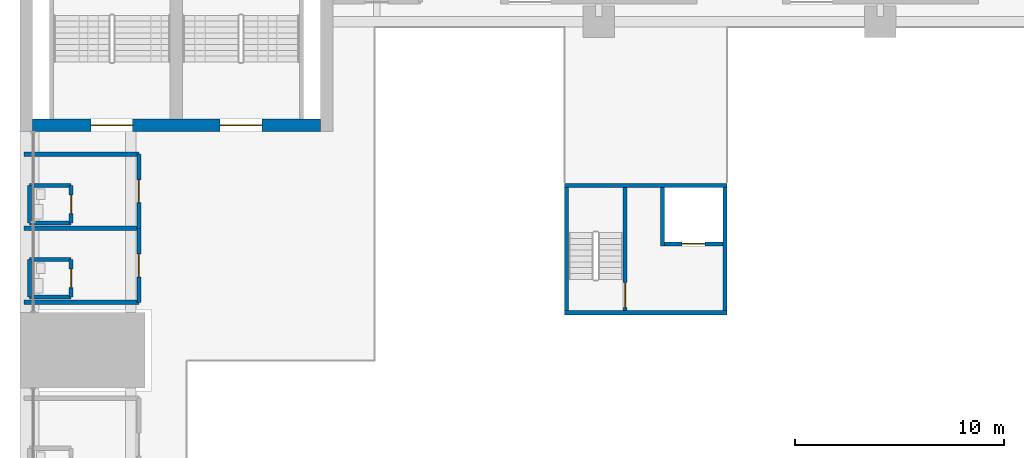
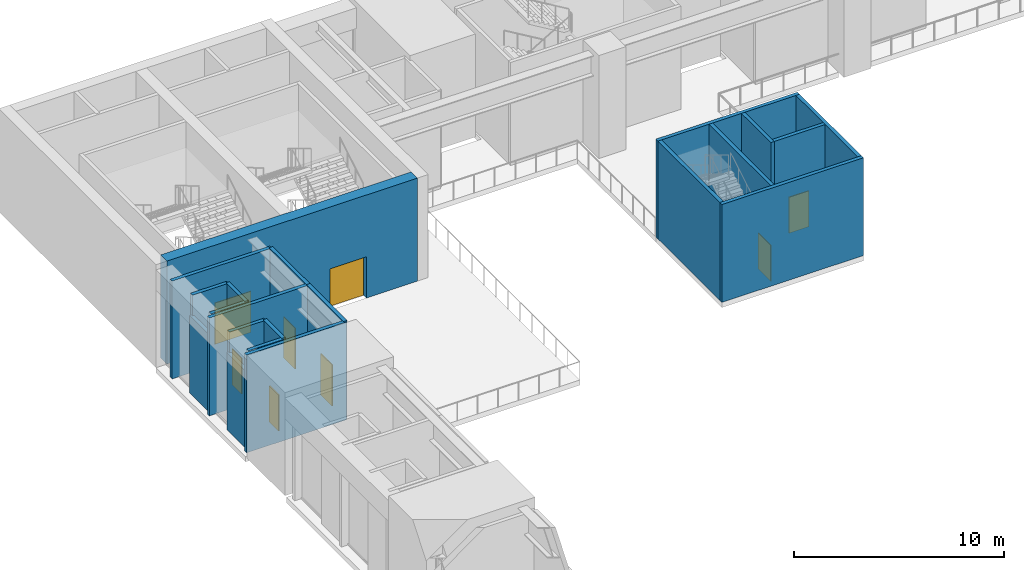
# One storey, part 15 of 43: 21 walls, 8 doors, 8 openings.
"""IFC4 building model written with IfcOpenShell, lengths in metres."""

from ifc_helpers import new_model, si_unit, direction, frame, frame_2d, origin, place, context, subcontext, project, spatial, rectangle, extrude, material, layer, layer_set, type_object, element, fill, save


model = new_model("IFC4")

# Units and contexts
model_context = context("Model", 3, precision=1e-05, world=origin(), true_north=direction((0.0, 1.0)))
body_context = subcontext(model_context, "Body", "Model", "MODEL_VIEW")
ifc_project = project(units=[si_unit("LENGTHUNIT", "METRE"), si_unit("AREAUNIT", "SQUARE_METRE"), si_unit("VOLUMEUNIT", "CUBIC_METRE"), si_unit("PLANEANGLEUNIT", "RADIAN"), si_unit("MASSUNIT", "GRAM", prefix="KILO")], contexts=[model_context])

# Site, building, storey
site_placement = place(None, origin())
site = spatial("IfcSite", under=ifc_project, at=site_placement, CompositionType="ELEMENT")
building_placement = place(site_placement, origin())
building = spatial("IfcBuilding", under=site, at=building_placement, Name="Corbelhall Arena Tower", CompositionType="ELEMENT")
storey_placement = place(building_placement, frame((0.0, 0.0, 25.0)))
storey = spatial("IfcBuildingStorey", under=building, at=storey_placement, Name="L03", CompositionType="ELEMENT", Elevation=25.0)

# Wall, opening, door
ifc_material_1 = material(Name="Gypsum board on steel studs", Category="steel")
ifc_layer_1 = layer(ifc_material_1, 0.199951171875)
ifc_layer_set_1 = layer_set([ifc_layer_1], Name="AR-ROOM-WALL")
wall_type_1 = type_object("IfcWallType", Name="AR-ROOM-WALL", PredefinedType="PARTITIONING", material=ifc_layer_set_1)
wall_1_placement = place(storey_placement, frame((-42.300048828125, 15.800048828125, 0.0), z_axis=(0.0, 0.0, 1.0), x_axis=(0.0, 1.0, 0.0)))
wall_1 = element("IfcWall", 1, at=wall_1_placement, inside=storey, type_object=wall_type_1, Name="Suite seating 0313 wall", PredefinedType="PARTITIONING", context=body_context, shape_type="SweptSolid", body=[
    extrude(rectangle(XDim=3.550048828125, YDim=0.199951171875, at=frame_2d((1.77490234375, 0.0))), origin(), (0.0, 0.0, 1.0), 5.699951171875),
])
opening_1_placement = place(wall_1_placement, frame((1.22509765625, 0.0, 0.0)))
opening_1 = element("IfcOpeningElement", 2, at=opening_1_placement, cuts=wall_1, Name="Opening DA0407", PredefinedType="OPENING", context=body_context, shape_type="SweptSolid", body=[
    extrude(rectangle(XDim=1.10009765625, YDim=2.39990234375, at=frame_2d((0.550048828125, 1.199951171875))), frame((0.0, 0.10009765625, 0.0), z_axis=(0.0, -1.0, 0.0), x_axis=(1.0, 0.0, 0.0)), (0.0, 0.0, 1.0), 0.199951171875),
])
ifc_material_2 = material(Name="Timber", Category="wood")
door_type_1 = type_object("IfcDoorType", Name="AR-ROOM-DOOR", OperationType="DOUBLE_DOOR_SINGLE_SWING", PredefinedType="DOOR", material=ifc_material_2)
door_1_placement = place(opening_1_placement, origin())
door_1 = element("IfcDoor", 3, at=door_1_placement, inside=storey, type_object=door_type_1, Name="Suite seating 0313 door", OperationType="DOUBLE_DOOR_SINGLE_SWING", OverallHeight=2.39990234375, OverallWidth=1.10009765625, PredefinedType="DOOR", context=body_context, shape_type="SweptSolid", body=[
    extrude(rectangle(XDim=1.10009765625, YDim=2.39990234375, at=frame_2d((0.550048828125, 1.199951171875))), frame((0.0, 0.02490234375, 0.0), z_axis=(0.0, -1.0, 0.0), x_axis=(1.0, 0.0, 0.0)), (0.0, 0.0, 1.0), 0.050048828125),
])
fill(opening_1, door_1)

# Walls
for number, where, z_axis, x_axis, name in (
    (4, (-42.300048828125, 15.800048828125, 0.0), (0.0, 0.0, 1.0), (-1.0, 0.0, 0.0), "Suite seating 0313 end wall"),
    (5, (-47.800048828125, 19.35009765625, 0.0), (0.0, 0.0, 1.0), (1.0, 0.0, 0.0), "Suite seating 0313 partition"),
):
    element("IfcWall", number, at=place(storey_placement, frame(where, z_axis=z_axis, x_axis=x_axis)), inside=storey, type_object=wall_type_1, Name=name, PredefinedType="PARTITIONING", context=body_context, shape_type="SweptSolid", body=[
        extrude(rectangle(XDim=5.5, YDim=0.199951171875, at=frame_2d((2.75, 0.0))), origin(), (0.0, 0.0, 1.0), 5.699951171875),
    ])
for number, where, z_axis, x_axis, name in (
    (6, (-47.550048828125, 16.050048828125, 0.0), (0.0, 0.0, 1.0), (1.0, 0.0, 0.0), "Suite WC 0313 wall"),
    (7, (-45.550048828125, 17.85009765625, 0.0), (0.0, 0.0, 1.0), (-1.0, 0.0, 0.0), "Suite WC 0313 wall"),
):
    element("IfcWall", number, at=place(storey_placement, frame(where, z_axis=z_axis, x_axis=x_axis)), inside=storey, type_object=wall_type_1, Name=name, PredefinedType="PARTITIONING", context=body_context, shape_type="SweptSolid", body=[
        extrude(rectangle(XDim=2.0, YDim=0.199951171875, at=frame_2d((1.0, 0.0))), origin(), (0.0, 0.0, 1.0), 5.699951171875),
    ])

# Wall, opening, door
wall_2_placement = place(storey_placement, frame((-45.550048828125, 16.050048828125, 0.0), z_axis=(0.0, 0.0, 1.0), x_axis=(0.0, 1.0, 0.0)))
wall_2 = element("IfcWall", 8, at=wall_2_placement, inside=storey, type_object=wall_type_1, Name="Suite WC 0313 wall", PredefinedType="PARTITIONING", context=body_context, shape_type="SweptSolid", body=[
    extrude(rectangle(XDim=1.800048828125, YDim=0.199951171875, at=frame_2d((0.89990234375, 0.0))), origin(), (0.0, 0.0, 1.0), 5.699951171875),
])
opening_2_placement = place(wall_2_placement, frame((0.449951171875, 0.0, 0.0)))
opening_2 = element("IfcOpeningElement", 9, at=opening_2_placement, cuts=wall_2, Name="Opening DA0408", PredefinedType="OPENING", context=body_context, shape_type="SweptSolid", body=[
    extrude(rectangle(XDim=0.89990234375, YDim=2.10009765625, at=frame_2d((0.449951171875, 1.050048828125))), frame((0.0, 0.10009765625, 0.0), z_axis=(0.0, -1.0, 0.0), x_axis=(1.0, 0.0, 0.0)), (0.0, 0.0, 1.0), 0.199951171875),
])
door_type_2 = type_object("IfcDoorType", Name="AR-CELL-DOOR", OperationType="SINGLE_SWING_LEFT", PredefinedType="DOOR", material=ifc_material_2)
door_2_placement = place(opening_2_placement, origin())
door_2 = element("IfcDoor", 10, at=door_2_placement, inside=storey, type_object=door_type_2, Name="Suite WC 0313 door", OperationType="SINGLE_SWING_LEFT", OverallHeight=2.10009765625, OverallWidth=0.89990234375, PredefinedType="DOOR", context=body_context, shape_type="SweptSolid", body=[
    extrude(rectangle(XDim=0.89990234375, YDim=2.10009765625, at=frame_2d((0.449951171875, 1.050048828125))), frame((0.0, 0.02490234375, 0.0), z_axis=(0.0, -1.0, 0.0), x_axis=(1.0, 0.0, 0.0)), (0.0, 0.0, 1.0), 0.050048828125),
])
fill(opening_2, door_2)

wall_3_placement = place(storey_placement, frame((-42.300048828125, 19.35009765625, 0.0), z_axis=(0.0, 0.0, 1.0), x_axis=(0.0, 1.0, 0.0)))
wall_3 = element("IfcWall", 11, at=wall_3_placement, inside=storey, type_object=wall_type_1, Name="Suite seating 0314 wall", PredefinedType="PARTITIONING", context=body_context, shape_type="SweptSolid", body=[
    extrude(rectangle(XDim=3.5498046875, YDim=0.199951171875, at=frame_2d((1.77490234375, 0.0))), origin(), (0.0, 0.0, 1.0), 5.699951171875),
])
opening_3_placement = place(wall_3_placement, frame((1.22509765625, 0.0, 0.0)))
opening_3 = element("IfcOpeningElement", 12, at=opening_3_placement, cuts=wall_3, Name="Opening DA0409", PredefinedType="OPENING", context=body_context, shape_type="SweptSolid", body=[
    extrude(rectangle(XDim=1.10009765625, YDim=2.39990234375, at=frame_2d((0.550048828125, 1.199951171875))), frame((0.0, 0.10009765625, 0.0), z_axis=(0.0, -1.0, 0.0), x_axis=(1.0, 0.0, 0.0)), (0.0, 0.0, 1.0), 0.199951171875),
])
door_3_placement = place(opening_3_placement, origin())
door_3 = element("IfcDoor", 13, at=door_3_placement, inside=storey, type_object=door_type_1, Name="Suite seating 0314 door", OperationType="DOUBLE_DOOR_SINGLE_SWING", OverallHeight=2.39990234375, OverallWidth=1.10009765625, PredefinedType="DOOR", context=body_context, shape_type="SweptSolid", body=[
    extrude(rectangle(XDim=1.10009765625, YDim=2.39990234375, at=frame_2d((0.550048828125, 1.199951171875))), frame((0.0, 0.02490234375, 0.0), z_axis=(0.0, -1.0, 0.0), x_axis=(1.0, 0.0, 0.0)), (0.0, 0.0, 1.0), 0.050048828125),
])
fill(opening_3, door_3)

# Walls
wall_4_placement = place(storey_placement, frame((-42.300048828125, 22.89990234375, 0.0), z_axis=(0.0, 0.0, 1.0), x_axis=(-1.0, 0.0, 0.0)))
element("IfcWall", 14, at=wall_4_placement, inside=storey, type_object=wall_type_1, Name="Suite seating 0314 end wall", PredefinedType="PARTITIONING", context=body_context, shape_type="SweptSolid", body=[
    extrude(rectangle(XDim=5.5, YDim=0.199951171875, at=frame_2d((2.75, 0.0))), origin(), (0.0, 0.0, 1.0), 5.699951171875),
])
for number, where, z_axis, x_axis, name in (
    (15, (-47.550048828125, 19.60009765625, 0.0), (0.0, 0.0, 1.0), (1.0, 0.0, 0.0), "Suite WC 0314 wall"),
    (16, (-45.550048828125, 21.39990234375, 0.0), (0.0, 0.0, 1.0), (-1.0, 0.0, 0.0), "Suite WC 0314 wall"),
):
    element("IfcWall", number, at=place(storey_placement, frame(where, z_axis=z_axis, x_axis=x_axis)), inside=storey, type_object=wall_type_1, Name=name, PredefinedType="PARTITIONING", context=body_context, shape_type="SweptSolid", body=[
        extrude(rectangle(XDim=2.0, YDim=0.199951171875, at=frame_2d((1.0, 0.0))), origin(), (0.0, 0.0, 1.0), 5.699951171875),
    ])

# Wall, opening, door
wall_5_placement = place(storey_placement, frame((-45.550048828125, 19.60009765625, 0.0), z_axis=(0.0, 0.0, 1.0), x_axis=(0.0, 1.0, 0.0)))
wall_5 = element("IfcWall", 17, at=wall_5_placement, inside=storey, type_object=wall_type_1, Name="Suite WC 0314 wall", PredefinedType="PARTITIONING", context=body_context, shape_type="SweptSolid", body=[
    extrude(rectangle(XDim=1.7998046875, YDim=0.199951171875, at=frame_2d((0.89990234375, 0.0))), origin(), (0.0, 0.0, 1.0), 5.699951171875),
])
opening_4_placement = place(wall_5_placement, frame((0.449951171875, 0.0, 0.0)))
opening_4 = element("IfcOpeningElement", 18, at=opening_4_placement, cuts=wall_5, Name="Opening DA0410", PredefinedType="OPENING", context=body_context, shape_type="SweptSolid", body=[
    extrude(rectangle(XDim=0.89990234375, YDim=2.10009765625, at=frame_2d((0.449951171875, 1.050048828125))), frame((0.0, 0.10009765625, 0.0), z_axis=(0.0, -1.0, 0.0), x_axis=(1.0, 0.0, 0.0)), (0.0, 0.0, 1.0), 0.199951171875),
])
door_4_placement = place(opening_4_placement, origin())
door_4 = element("IfcDoor", 19, at=door_4_placement, inside=storey, type_object=door_type_2, Name="Suite WC 0314 door", OperationType="SINGLE_SWING_LEFT", OverallHeight=2.10009765625, OverallWidth=0.89990234375, PredefinedType="DOOR", context=body_context, shape_type="SweptSolid", body=[
    extrude(rectangle(XDim=0.89990234375, YDim=2.10009765625, at=frame_2d((0.449951171875, 1.050048828125))), frame((0.0, 0.02490234375, 0.0), z_axis=(0.0, -1.0, 0.0), x_axis=(1.0, 0.0, 0.0)), (0.0, 0.0, 1.0), 0.050048828125),
])
fill(opening_4, door_4)

# Walls
ifc_layer_2 = layer(ifc_material_1, 0.199951171875)
ifc_layer_set_2 = layer_set([ifc_layer_2], Name="AR-ROOM-WALL under beam 1200 mm")
wall_type_2 = type_object("IfcWallType", Name="AR-ROOM-WALL under beam 1200 mm", PredefinedType="PARTITIONING", material=ifc_layer_set_2)
wall_6_placement = place(storey_placement, frame((-47.550048828125, 16.050048828125, 0.0), z_axis=(0.0, 0.0, 1.0), x_axis=(0.0, 1.0, 0.0)))
element("IfcWall", 20, at=wall_6_placement, inside=storey, type_object=wall_type_2, Name="Suite WC 0313 wall", PredefinedType="PARTITIONING", context=body_context, shape_type="SweptSolid", body=[
    extrude(rectangle(XDim=1.800048828125, YDim=0.199951171875, at=frame_2d((0.89990234375, 0.0))), origin(), (0.0, 0.0, 1.0), 4.5),
])
wall_7_placement = place(storey_placement, frame((-47.550048828125, 19.60009765625, 0.0), z_axis=(0.0, 0.0, 1.0), x_axis=(0.0, 1.0, 0.0)))
element("IfcWall", 21, at=wall_7_placement, inside=storey, type_object=wall_type_2, Name="Suite WC 0314 wall", PredefinedType="PARTITIONING", context=body_context, shape_type="SweptSolid", body=[
    extrude(rectangle(XDim=1.7998046875, YDim=0.199951171875, at=frame_2d((0.89990234375, 0.0))), origin(), (0.0, 0.0, 1.0), 4.5),
])
ifc_material_3 = material(Name="Concrete C40/50", Category="concrete")
ifc_layer_3 = layer(ifc_material_3, 0.199951171875)
ifc_layer_set_3 = layer_set([ifc_layer_3], Name="IN-W-EAR200")
wall_type_3 = type_object("IfcWallType", Name="IN-W-EAR200", PredefinedType="SOLIDWALL", material=ifc_layer_set_3)
for number, where, z_axis, x_axis, name in (
    (22, (-21.89990234375, 15.300048828125, 0.0), (0.0, 0.0, 1.0), (1.0, 0.0, 0.0), "Fire service turret wall south"),
    (23, (-21.89990234375, 21.39990234375, 0.0), (0.0, 0.0, 1.0), (1.0, 0.0, 0.0), "Fire service turret wall north"),
):
    element("IfcWall", number, at=place(storey_placement, frame(where, z_axis=z_axis, x_axis=x_axis)), inside=storey, type_object=wall_type_3, Name=name, PredefinedType="SOLIDWALL", context=body_context, shape_type="SweptSolid", body=[
        extrude(rectangle(XDim=7.7998046875, YDim=0.199951171875, at=frame_2d((3.89990234375, 0.0))), origin(), (0.0, 0.0, 1.0), 5.699951171875),
    ])
for number, where, z_axis, x_axis, name in (
    (24, (-21.800048828125, 15.39990234375, 0.0), (0.0, 0.0, 1.0), (0.0, 1.0, 0.0), "Fire service turret wall west"),
    (25, (-14.199951171875, 15.39990234375, 0.0), (0.0, 0.0, 1.0), (0.0, 1.0, 0.0), "Fire service turret wall east"),
):
    element("IfcWall", number, at=place(storey_placement, frame(where, z_axis=z_axis, x_axis=x_axis)), inside=storey, type_object=wall_type_3, Name=name, PredefinedType="SOLIDWALL", context=body_context, shape_type="SweptSolid", body=[
        extrude(rectangle(XDim=5.900146484375, YDim=0.199951171875, at=frame_2d((2.9501953125, 0.0))), origin(), (0.0, 0.0, 1.0), 5.699951171875),
    ])

# Wall, opening, door
wall_8_placement = place(storey_placement, frame((-18.989990234375, 15.39990234375, 0.0), z_axis=(0.0, 0.0, 1.0), x_axis=(0.0, 1.0, 0.0)))
wall_8 = element("IfcWall", 26, at=wall_8_placement, inside=storey, type_object=wall_type_3, Name="Fire service turret wall stair", PredefinedType="SOLIDWALL", context=body_context, shape_type="SweptSolid", body=[
    extrude(rectangle(XDim=5.900146484375, YDim=0.199951171875, at=frame_2d((2.9501953125, 0.0))), origin(), (0.0, 0.0, 1.0), 5.699951171875),
])
opening_5_placement = place(wall_8_placement, frame((0.14990234375, 0.0, 0.0)))
opening_5 = element("IfcOpeningElement", 27, at=opening_5_placement, cuts=wall_8, Name="Opening E031", PredefinedType="OPENING", context=body_context, shape_type="SweptSolid", body=[
    extrude(rectangle(XDim=1.199951171875, YDim=2.10009765625, at=frame_2d((0.60009765625, 1.050048828125))), frame((0.0, 0.10009765625, 0.0), z_axis=(0.0, -1.0, 0.0), x_axis=(1.0, 0.0, 0.0)), (0.0, 0.0, 1.0), 0.199951171875),
])
ifc_material_4 = material(Name="Steel door set", Category="steel")
door_type_3 = type_object("IfcDoorType", Name="IN-D-ST120", OperationType="NOTDEFINED", PredefinedType="DOOR", material=ifc_material_4)
door_5_placement = place(opening_5_placement, origin())
door_5 = element("IfcDoor", 28, at=door_5_placement, inside=storey, type_object=door_type_3, Name="Stair door to fire service lobby", OperationType="SINGLE_SWING_LEFT", OverallHeight=2.10009765625, OverallWidth=1.199951171875, PredefinedType="DOOR", context=body_context, shape_type="SweptSolid", body=[
    extrude(rectangle(XDim=1.199951171875, YDim=2.10009765625, at=frame_2d((0.60009765625, 1.050048828125))), frame((0.0, 0.02490234375, 0.0), z_axis=(0.0, -1.0, 0.0), x_axis=(1.0, 0.0, 0.0)), (0.0, 0.0, 1.0), 0.050048828125),
])
fill(opening_5, door_5)

# Wall
wall_9_placement = place(storey_placement, frame((-17.199951171875, 18.5, 0.0), z_axis=(0.0, 0.0, 1.0), x_axis=(0.0, 1.0, 0.0)))
element("IfcWall", 29, at=wall_9_placement, inside=storey, type_object=wall_type_3, Name="Fire service turret wall hoistway west", PredefinedType="SOLIDWALL", context=body_context, shape_type="SweptSolid", body=[
    extrude(rectangle(XDim=2.800048828125, YDim=0.199951171875, at=frame_2d((1.39990234375, 0.0))), origin(), (0.0, 0.0, 1.0), 5.699951171875),
])

# Wall, opening, door
wall_10_placement = place(storey_placement, frame((-17.10009765625, 18.60009765625, 0.0), z_axis=(0.0, 0.0, 1.0), x_axis=(1.0, 0.0, 0.0)))
wall_10 = element("IfcWall", 30, at=wall_10_placement, inside=storey, type_object=wall_type_3, Name="Fire service turret wall hoistway south", PredefinedType="SOLIDWALL", context=body_context, shape_type="SweptSolid", body=[
    extrude(rectangle(XDim=2.800048828125, YDim=0.199951171875, at=frame_2d((1.39990234375, 0.0))), origin(), (0.0, 0.0, 1.0), 5.699951171875),
])
opening_6_placement = place(wall_10_placement, frame((0.85009765625, 0.0, 0.0)))
opening_6 = element("IfcOpeningElement", 31, at=opening_6_placement, cuts=wall_10, Name="Opening LD", PredefinedType="OPENING", context=body_context, shape_type="SweptSolid", body=[
    extrude(rectangle(XDim=1.10009765625, YDim=2.10009765625, at=frame_2d((0.550048828125, 1.050048828125))), frame((0.0, 0.10009765625, 0.0), z_axis=(0.0, -1.0, 0.0), x_axis=(1.0, 0.0, 0.0)), (0.0, 0.0, 1.0), 0.199951171875),
])
door_type_4 = type_object("IfcDoorType", Name="IN-D-LD110", OperationType="NOTDEFINED", PredefinedType="DOOR", material=ifc_material_4)
door_6_placement = place(opening_6_placement, origin())
door_6 = element("IfcDoor", 32, at=door_6_placement, inside=storey, type_object=door_type_4, Name="Landing door FS1", OperationType="SLIDING_TO_LEFT", OverallHeight=2.10009765625, OverallWidth=1.10009765625, PredefinedType="DOOR", context=body_context, shape_type="SweptSolid", body=[
    extrude(rectangle(XDim=1.10009765625, YDim=2.10009765625, at=frame_2d((0.550048828125, 1.050048828125))), frame((0.0, 0.02490234375, 0.0), z_axis=(0.0, -1.0, 0.0), x_axis=(1.0, 0.0, 0.0)), (0.0, 0.0, 1.0), 0.050048828125),
])
fill(opening_6, door_6)

# Wall, openings, doors
ifc_material_5 = material(Name="Concrete C80/95", Category="concrete")
ifc_layer_4 = layer(ifc_material_5, 0.60009765625)
ifc_layer_set_4 = layer_set([ifc_layer_4], Name="PO-CORE-WALL")
wall_type_4 = type_object("IfcWallType", Name="PO-CORE-WALL", PredefinedType="SHEAR", material=ifc_layer_set_4)
wall_11_placement = place(storey_placement, frame((-47.39990234375, 24.300048828125, 0.0), z_axis=(0.0, 0.0, 1.0), x_axis=(1.0, 0.0, 0.0)))
wall_11 = element("IfcWall", 33, at=wall_11_placement, inside=storey, type_object=wall_type_4, Name="CORE NW WALL S L03", PredefinedType="SHEAR", context=body_context, shape_type="SweptSolid", body=[
    extrude(rectangle(XDim=13.7998046875, YDim=0.60009765625, at=frame_2d((6.89990234375, 0.0))), origin(), (0.0, 0.0, 1.0), 6.0),
])
opening_7_placement = place(wall_11_placement, frame((8.9951171875, 0.0, 0.0)))
opening_7 = element("IfcOpeningElement", 34, at=opening_7_placement, cuts=wall_11, Name="Opening DA0072", PredefinedType="OPENING", context=body_context, shape_type="SweptSolid", body=[
    extrude(rectangle(XDim=2.0, YDim=2.39990234375, at=frame_2d((1.0, 1.199951171875))), frame((0.0, 0.300048828125, 0.0), z_axis=(0.0, -1.0, 0.0), x_axis=(1.0, 0.0, 0.0)), (0.0, 0.0, 1.0), 0.60009765625),
])
opening_8_placement = place(wall_11_placement, frame((2.804931640625, 0.0, 0.0)))
opening_8 = element("IfcOpeningElement", 35, at=opening_8_placement, cuts=wall_11, Name="Opening DA0080", PredefinedType="OPENING", context=body_context, shape_type="SweptSolid", body=[
    extrude(rectangle(XDim=2.0, YDim=2.39990234375, at=frame_2d((1.0, 1.199951171875))), frame((0.0, 0.300048828125, 0.0), z_axis=(0.0, -1.0, 0.0), x_axis=(1.0, 0.0, 0.0)), (0.0, 0.0, 1.0), 0.60009765625),
])
ifc_material_6 = material(Name="Steel and glass", Category="steel")
door_type_5 = type_object("IfcDoorType", Name="AR-STAIR-DOOR", OperationType="DOUBLE_DOOR_SINGLE_SWING", PredefinedType="DOOR", material=ifc_material_6)
door_7_placement = place(opening_7_placement, origin())
door_7 = element("IfcDoor", 36, at=door_7_placement, inside=storey, type_object=door_type_5, Name="Stair AS3 door", OperationType="DOUBLE_DOOR_SINGLE_SWING", OverallHeight=2.39990234375, OverallWidth=2.0, PredefinedType="DOOR", context=body_context, shape_type="SweptSolid", body=[
    extrude(rectangle(XDim=2.0, YDim=2.39990234375, at=frame_2d((1.0, 1.199951171875))), frame((0.0, 0.02490234375, 0.0), z_axis=(0.0, -1.0, 0.0), x_axis=(1.0, 0.0, 0.0)), (0.0, 0.0, 1.0), 0.050048828125),
])
fill(opening_7, door_7)
door_8_placement = place(opening_8_placement, origin())
door_8 = element("IfcDoor", 37, at=door_8_placement, inside=storey, type_object=door_type_5, Name="Stair AS4 door", OperationType="DOUBLE_DOOR_SINGLE_SWING", OverallHeight=2.39990234375, OverallWidth=2.0, PredefinedType="DOOR", context=body_context, shape_type="SweptSolid", body=[
    extrude(rectangle(XDim=2.0, YDim=2.39990234375, at=frame_2d((1.0, 1.199951171875))), frame((0.0, 0.02490234375, 0.0), z_axis=(0.0, -1.0, 0.0), x_axis=(1.0, 0.0, 0.0)), (0.0, 0.0, 1.0), 0.050048828125),
])
fill(opening_8, door_8)

save(model, "model.ifc")
